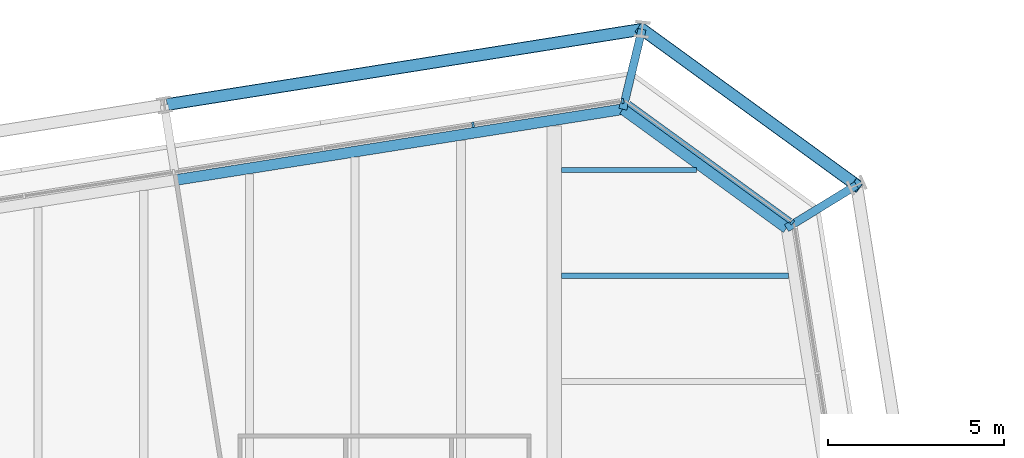
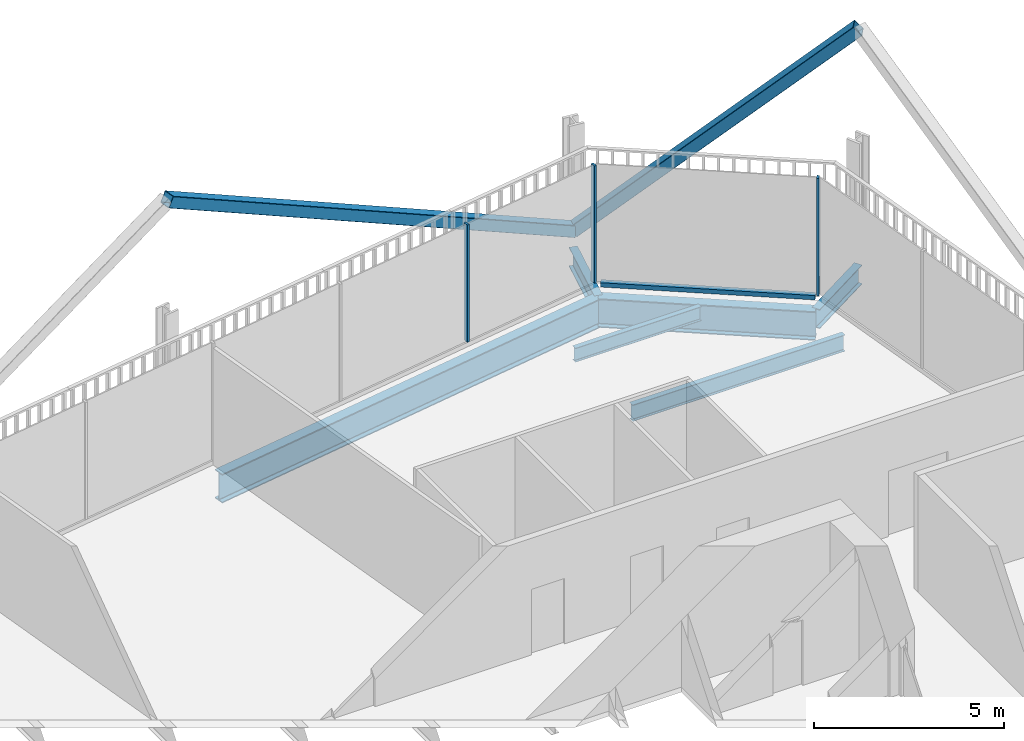
# One storey, part 16 of 22: 6 beams, 6 members, 2 elements without a shape of their own.
"""IFC4 building model written with IfcOpenShell, lengths in metres."""

from ifc_helpers import new_model, si_unit, direction, frame, origin, origin_2d, place, context, subcontext, project, spatial, rectangle, hollow_rectangle, i_section, extrude, material, layer, layer_set, material_profile, profile_set, type_object, element, aggregate, save


model = new_model("IFC4")

# Units and contexts
model_context = context("Model", 3, precision=1e-05, world=origin(), true_north=direction((0.0, 1.0)))
body_context = subcontext(model_context, "Body", "Model", "MODEL_VIEW")
ifc_project = project(units=[si_unit("LENGTHUNIT", "METRE"), si_unit("AREAUNIT", "SQUARE_METRE"), si_unit("VOLUMEUNIT", "CUBIC_METRE"), si_unit("PLANEANGLEUNIT", "RADIAN"), si_unit("MASSUNIT", "GRAM", prefix="KILO")], contexts=[model_context])

# Site, building, storey
site_placement = place(None, origin())
site = spatial("IfcSite", under=ifc_project, at=site_placement, CompositionType="ELEMENT")
building_placement = place(site_placement, origin())
building = spatial("IfcBuilding", under=site, at=building_placement, Name="Millrace Tower", CompositionType="ELEMENT")
storey_placement = place(building_placement, frame((0.0, 0.0, 152.89990234375)))
storey = spatial("IfcBuildingStorey", under=building, at=storey_placement, Name="L34", CompositionType="ELEMENT", Elevation=152.89990234375)

# Curtain wall, member
ifc_material_1 = material(Name="Aluminium and glass", Category="aluminium")
ifc_layer = layer(ifc_material_1, 0.14990234375)
ifc_layer_set = layer_set([ifc_layer], Name="Aluminium and glass")
curtain_wall_type = type_object("IfcCurtainWallType", Name="CW-1 office vision curtain wall", PredefinedType="NOTDEFINED", material=ifc_layer_set)
placement = place(storey_placement, origin())
curtain_wall_1 = element("IfcCurtainWall", 1, at=placement, inside=storey, type_object=curtain_wall_type, Name="Curtain wall C-F05 L34", PredefinedType="NOTDEFINED")
ifc_material_2 = material(Name="Aluminium", Category="aluminium")
ifc_material_profile_1 = material_profile(ifc_material_2, rectangle(XDim=0.06494140625, YDim=0.14990234375, at=origin_2d()))
ifc_profile_set_1 = profile_set([ifc_material_profile_1], Name="Aluminium")
member_type_1 = type_object("IfcMemberType", Name="CW-1 office vision curtain wall mullion", PredefinedType="MULLION", material=ifc_profile_set_1)
member_1_placement = place(storey_placement, frame((21.4013671875, 22.517822265625, 0.14013671875), z_axis=(0.0, 0.0, 1.0), x_axis=(-0.809016981623, 0.587785269844, 0.0)))
member_1 = element("IfcMember", 2, at=member_1_placement, type_object=member_type_1, Name="CW1 mullion C-F05.1", PredefinedType="MULLION", context=body_context, shape_type="SweptSolid", body=[
    extrude(rectangle(XDim=0.06494140625, YDim=0.14990234375, at=origin_2d()), origin(), (0.0, 0.0, 1.0), 3.760009765625),
])

# Curtain wall, members
curtain_wall_2 = element("IfcCurtainWall", 3, at=placement, inside=storey, type_object=curtain_wall_type, Name="Curtain wall C-F06 L34", PredefinedType="NOTDEFINED")
member_2_placement = place(storey_placement, frame((16.591796875, 25.956787109375, 0.14013671875), z_axis=(0.0, 0.0, 1.0), x_axis=(-0.98768833929, -0.15643447328, 0.0)))
member_2 = element("IfcMember", 4, at=member_2_placement, type_object=member_type_1, Name="CW1 mullion C-F06.1", PredefinedType="MULLION", context=body_context, shape_type="SweptSolid", body=[
    extrude(rectangle(XDim=0.06494140625, YDim=0.14990234375, at=origin_2d()), origin(), (0.0, 0.0, 1.0), 3.760009765625),
])
member_3_placement = place(storey_placement, frame((12.3447265625, 25.283935546875, 0.14013671875), z_axis=(0.0, 0.0, 1.0), x_axis=(-0.98768833929, -0.15643447328, 0.0)))
member_3 = element("IfcMember", 5, at=member_3_placement, type_object=member_type_1, Name="CW1 mullion C-F06.2", PredefinedType="MULLION", context=body_context, shape_type="SweptSolid", body=[
    extrude(rectangle(XDim=0.06494140625, YDim=0.14990234375, at=origin_2d()), origin(), (0.0, 0.0, 1.0), 3.760009765625),
])
aggregate(curtain_wall_2, [member_2, member_3])

# Member
ifc_material_3 = material(Name="Aluminium", Category="aluminium")
ifc_material_profile_2 = material_profile(ifc_material_3, rectangle(XDim=0.14990234375, YDim=0.139892578125, at=origin_2d()))
ifc_profile_set_2 = profile_set([ifc_material_profile_2], Name="Aluminium")
member_type_2 = type_object("IfcMemberType", Name="CW-1 office vision curtain wall transom", PredefinedType="USERDEFINED", material=ifc_profile_set_2)
member_4_placement = place(storey_placement, frame((21.346923828125, 22.557373046875, 0.070068359375), z_axis=(-0.809013470651, 0.587790102252, 0.0), x_axis=(-0.587790102252, -0.809013470651, 0.0)))
member_4 = element("IfcMember", 6, at=member_4_placement, type_object=member_type_2, Name="CW1 transom C-F05.1", ObjectType="TRANSOM", PredefinedType="USERDEFINED", context=body_context, shape_type="SweptSolid", body=[
    extrude(rectangle(XDim=0.14990234375, YDim=0.139892578125, at=origin_2d()), origin(), (0.0, 0.0, 1.0), 5.669189453125),
])

aggregate(curtain_wall_1, [member_1, member_4])

# Members
ifc_material_4 = material(Name="Steel ASTM A500 Grade C", Category="steel")
ifc_material_profile_3 = material_profile(ifc_material_4, hollow_rectangle(XDim=0.355712890625, YDim=0.355712890625, WallThickness=0.015869140625, InnerFilletRadius=0.008056640625, OuterFilletRadius=0.02392578125, at=origin_2d()))
ifc_profile_set_3 = profile_set([ifc_material_profile_3], Name="Steel ASTM A500 Grade C")
member_type_3 = type_object("IfcMemberType", Name="Exoskeleton brace HSS14x14x5/8", PredefinedType="BRACE", material=ifc_profile_set_3)
member_5_placement = place(storey_placement, frame((17.140869140625, 27.99267578125, 0.400146484375), z_axis=(0.592387752691, -0.430389097037, 0.681059450866), x_axis=(0.587780069364, 0.809020759968, 0.0)))
element("IfcMember", 7, at=member_5_placement, inside=storey, type_object=member_type_3, Name="BRC-C-L34-09", PredefinedType="BRACE", context=body_context, shape_type="SweptSolid", body=[
    extrude(hollow_rectangle(XDim=0.355712890625, YDim=0.355712890625, WallThickness=0.015869140625, InnerFilletRadius=0.008056640625, OuterFilletRadius=0.02392578125, at=origin_2d()), origin(), (0.0, 0.0, 1.0), 10.278076171875),
])
member_6_placement = place(storey_placement, frame((17.140869140625, 27.99267578125, 0.400146484375), z_axis=(-0.879904612171, -0.139370908249, 0.454250617407), x_axis=(0.156442906258, -0.987687003601, 0.0)))
element("IfcMember", 8, at=member_6_placement, inside=storey, type_object=member_type_3, Name="BRC-C-L34-10", PredefinedType="BRACE", context=body_context, shape_type="SweptSolid", body=[
    extrude(hollow_rectangle(XDim=0.355712890625, YDim=0.355712890625, WallThickness=0.015869140625, InnerFilletRadius=0.008056640625, OuterFilletRadius=0.02392578125, at=origin_2d()), origin(), (0.0, 0.0, 1.0), 15.409912109375),
])

# Beams
ifc_material_5 = material(Name="Steel ASTM A992 Grade 50", Category="steel")
ifc_material_profile_4 = material_profile(ifc_material_5, i_section(OverallWidth=0.15234375, OverallDepth=0.449462890625, WebThickness=0.007568359375, FlangeThickness=0.0107421875, FilletRadius=0.01025390625, at=origin_2d()))
ifc_profile_set_4 = profile_set([ifc_material_profile_4], Name="Steel ASTM A992 Grade 50")
beam_type_1 = type_object("IfcBeamType", Name="Floor beam W18x35", PredefinedType="JOIST", material=ifc_profile_set_4)
beam_1_placement = place(storey_placement, frame((14.859619140625, 24.0, -0.384765625), z_axis=(1.0, 0.0, 0.0), x_axis=(0.0, 1.0, 0.0)))
element("IfcBeam", 9, at=beam_1_placement, inside=storey, type_object=beam_type_1, Name="BM-C-L34-S1-S038", PredefinedType="JOIST", context=body_context, shape_type="SweptSolid", body=[
    extrude(i_section(OverallWidth=0.15234375, OverallDepth=0.449462890625, WebThickness=0.007568359375, FlangeThickness=0.0107421875, FilletRadius=0.01025390625, at=origin_2d()), origin(), (0.0, 0.0, 1.0), 3.8232421875),
])
ifc_material_6 = material(Name="Steel ASTM A992 Grade 50", Category="steel")
ifc_material_profile_5 = material_profile(ifc_material_6, i_section(OverallWidth=0.1650390625, OverallDepth=0.52587890625, WebThickness=0.0087890625, FlangeThickness=0.011474609375, FilletRadius=0.0126953125, at=origin_2d()))
ifc_profile_set_5 = profile_set([ifc_material_profile_5], Name="Steel ASTM A992 Grade 50")
beam_type_2 = type_object("IfcBeamType", Name="Floor beam W21x44", PredefinedType="JOIST", material=ifc_profile_set_5)
beam_2_placement = place(storey_placement, frame((14.859619140625, 21.0, -0.4228515625), z_axis=(1.0, 0.0, 0.0), x_axis=(0.0, 1.0, 0.0)))
element("IfcBeam", 10, at=beam_2_placement, inside=storey, type_object=beam_type_2, Name="BM-C-L34-S1-S037", PredefinedType="JOIST", context=body_context, shape_type="SweptSolid", body=[
    extrude(i_section(OverallWidth=0.1650390625, OverallDepth=0.52587890625, WebThickness=0.0087890625, FlangeThickness=0.011474609375, FilletRadius=0.0126953125, at=origin_2d()), origin(), (0.0, 0.0, 1.0), 6.440673828125),
])
ifc_material_7 = material(Name="Steel ASTM A992 Grade 50", Category="steel")
ifc_material_profile_6 = material_profile(ifc_material_7, i_section(OverallWidth=0.23046875, OverallDepth=0.6171875, WebThickness=0.01318359375, FlangeThickness=0.022216796875, FilletRadius=0.012939453125, at=origin_2d()))
ifc_profile_set_6 = profile_set([ifc_material_profile_6], Name="Steel ASTM A992 Grade 50")
beam_type_3 = type_object("IfcBeamType", Name="Link beam W24x94", PredefinedType="BEAM", material=ifc_profile_set_6)
beam_3_placement = place(storey_placement, frame((16.5966796875, 25.725830078125, -0.468505859375), z_axis=(0.233432364948, 0.972373041068, 0.0), x_axis=(-0.972373041068, 0.233432364948, 0.0)))
element("IfcBeam", 11, at=beam_3_placement, inside=storey, type_object=beam_type_3, Name="LNK-C-L34-S1-08", PredefinedType="BEAM", context=body_context, shape_type="SweptSolid", body=[
    extrude(i_section(OverallWidth=0.23046875, OverallDepth=0.6171875, WebThickness=0.01318359375, FlangeThickness=0.022216796875, FilletRadius=0.012939453125, at=origin_2d()), origin(), (0.0, 0.0, 1.0), 2.331298828125),
])
beam_4_placement = place(storey_placement, frame((21.241943359375, 22.35107421875, -0.468505859375), z_axis=(0.852631355792, 0.522512938711, 0.0), x_axis=(-0.522512938711, 0.852631355792, 0.0)))
element("IfcBeam", 12, at=beam_4_placement, inside=storey, type_object=beam_type_3, Name="LNK-C-L34-S1-09", PredefinedType="BEAM", context=body_context, shape_type="SweptSolid", body=[
    extrude(i_section(OverallWidth=0.23046875, OverallDepth=0.6171875, WebThickness=0.01318359375, FlangeThickness=0.022216796875, FilletRadius=0.012939453125, at=origin_2d()), origin(), (0.0, 0.0, 1.0), 2.3310546875),
])
ifc_material_8 = material(Name="Steel ASTM A992 Grade 50", Category="steel")
ifc_material_profile_7 = material_profile(ifc_material_8, i_section(OverallWidth=0.307373046875, OverallDepth=0.927001953125, WebThickness=0.01953125, FlangeThickness=0.031982421875, FilletRadius=0.01904296875, at=origin_2d()))
ifc_profile_set_7 = profile_set([ifc_material_profile_7], Name="Steel ASTM A992 Grade 50")
beam_type_4 = type_object("IfcBeamType", Name="Ring beam medium span W36x194", PredefinedType="SPANDREL", material=ifc_profile_set_7)
beam_5_placement = place(storey_placement, frame((3.91845703125, 23.718017578125, -0.62353515625), z_axis=(0.987690996996, 0.156417692264, 0.0), x_axis=(-0.156417692264, 0.987690996996, 0.0)))
element("IfcBeam", 13, at=beam_5_placement, inside=storey, type_object=beam_type_4, Name="RNG-C-L34-S1-07", PredefinedType="SPANDREL", context=body_context, shape_type="SweptSolid", body=[
    extrude(i_section(OverallWidth=0.307373046875, OverallDepth=0.927001953125, WebThickness=0.01953125, FlangeThickness=0.031982421875, FilletRadius=0.01904296875, at=origin_2d()), origin(), (0.0, 0.0, 1.0), 12.836181640625),
])
ifc_material_9 = material(Name="Steel ASTM A992 Grade 50", Category="steel")
ifc_material_profile_8 = material_profile(ifc_material_9, i_section(OverallWidth=0.307373046875, OverallDepth=0.927001953125, WebThickness=0.01953125, FlangeThickness=0.031982421875, FilletRadius=0.01904296875, at=origin_2d()))
ifc_profile_set_8 = profile_set([ifc_material_profile_8], Name="Steel ASTM A992 Grade 50")
beam_type_5 = type_object("IfcBeamType", Name="Ring beam short span W36x194", PredefinedType="SPANDREL", material=ifc_profile_set_8)
beam_6_placement = place(storey_placement, frame((16.5966796875, 25.725830078125, -0.62353515625), z_axis=(0.809035690681, -0.587759518174, 0.0), x_axis=(0.587759518174, 0.809035690681, 0.0)))
element("IfcBeam", 14, at=beam_6_placement, inside=storey, type_object=beam_type_5, Name="RNG-C-L34-S1-08", PredefinedType="SPANDREL", context=body_context, shape_type="SweptSolid", body=[
    extrude(i_section(OverallWidth=0.307373046875, OverallDepth=0.927001953125, WebThickness=0.01953125, FlangeThickness=0.031982421875, FilletRadius=0.01904296875, at=origin_2d()), origin(), (0.0, 0.0, 1.0), 5.74169921875),
])

save(model, "model.ifc")
